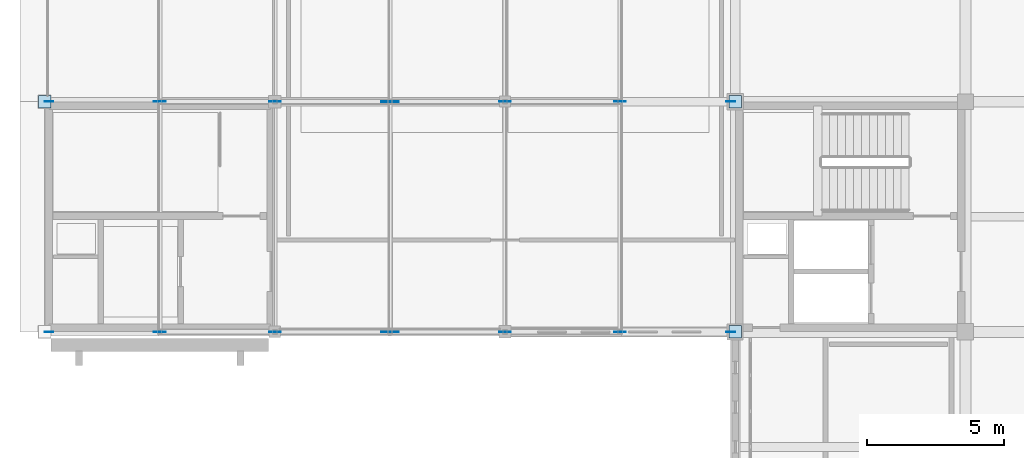
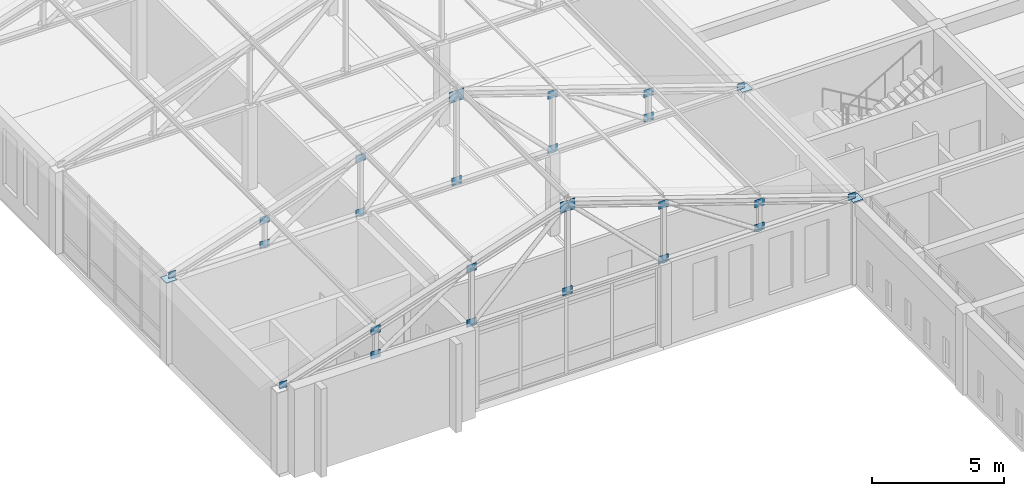
# One storey, part 33 of 56: 27 plates.
"""IFC4 building model written with IfcOpenShell, lengths in metres."""

from ifc_helpers import new_model, si_unit, direction, frame, origin, origin_2d, place, context, subcontext, project, spatial, rectangle, extrude, material, layer, layer_set, type_object, element, save


model = new_model("IFC4")

# Units and contexts
model_context = context("Model", 3, precision=1e-05, world=origin(), true_north=direction((0.0, 1.0)))
body_context = subcontext(model_context, "Body", "Model", "MODEL_VIEW")
ifc_project = project(units=[si_unit("LENGTHUNIT", "METRE"), si_unit("AREAUNIT", "SQUARE_METRE"), si_unit("VOLUMEUNIT", "CUBIC_METRE"), si_unit("PLANEANGLEUNIT", "RADIAN"), si_unit("MASSUNIT", "GRAM", prefix="KILO")], contexts=[model_context])

# Site, building, storey
site_placement = place(None, origin())
site = spatial("IfcSite", under=ifc_project, at=site_placement, CompositionType="ELEMENT")
building_placement = place(site_placement, origin())
building = spatial("IfcBuilding", under=site, at=building_placement, Name="Kveldsbrygga Polytechnic", CompositionType="ELEMENT")
storey_placement = place(building_placement, frame((0.0, 0.0, 18.02001953125)))
storey = spatial("IfcBuildingStorey", under=building, at=storey_placement, Name="L04", CompositionType="ELEMENT", Elevation=18.02001953125)

# Plates
ifc_material = material(Name="Steel S355", Category="steel")
ifc_layer_1 = layer(ifc_material, 0.030029296875)
ifc_layer_set_1 = layer_set([ifc_layer_1], Name="Steel S355")
plate_type_1 = type_object("IfcPlateType", Name="CAP-BEAR-450", PredefinedType="SHEET", material=ifc_layer_set_1)
for number, where, z_axis, x_axis, name in (
    (1, (126.0, 84.0, 3.75), (0.0, 0.0, 1.0), (1.0, 0.0, 0.0), "Truss Bearing Plate V4NE5-T01-B"),
    (2, (100.800048828125, 92.39990234375, 3.75), (0.0, 0.0, 1.0), (1.0, 0.0, 0.0), "Truss Bearing Plate V4NE5-T02-A"),
    (3, (126.0, 92.39990234375, 3.75), (0.0, 0.0, 1.0), (1.0, 0.0, 0.0), "Truss Bearing Plate V4NE5-T02-B"),
):
    element("IfcPlate", number, at=place(storey_placement, frame(where, z_axis=z_axis, x_axis=x_axis)), inside=storey, type_object=plate_type_1, Name=name, PredefinedType="SHEET", context=body_context, shape_type="SweptSolid", body=[
        extrude(rectangle(XDim=0.449951171875, YDim=0.449951171875, at=origin_2d()), origin(), (0.0, 0.0, 1.0), 0.030029296875),
    ])
ifc_layer_2 = layer(ifc_material, 0.02490234375)
ifc_layer_set_2 = layer_set([ifc_layer_2], Name="Steel S355")
plate_type_2 = type_object("IfcPlateType", Name="GUS-APEX-650", PredefinedType="SHEET", material=ifc_layer_set_2)
for number, where, z_axis, x_axis, name in (
    (4, (113.39990234375, 84.0, 7.580078125), (0.0, 0.0, 1.0), (1.0, 0.0, 0.0), "Truss Gusset Plate V4NE5-T01-GP-3"),
    (5, (113.39990234375, 92.39990234375, 7.580078125), (0.0, 0.0, 1.0), (1.0, 0.0, 0.0), "Truss Gusset Plate V4NE5-T02-GP-3"),
):
    element("IfcPlate", number, at=place(storey_placement, frame(where, z_axis=z_axis, x_axis=x_axis)), inside=storey, type_object=plate_type_2, Name=name, PredefinedType="SHEET", context=body_context, shape_type="SweptSolid", body=[
        extrude(rectangle(XDim=0.64990234375, YDim=0.02490234375, at=origin_2d()), origin(), (0.0, 0.0, 1.0), 0.5),
    ])
ifc_layer_3 = layer(ifc_material, 0.01806640625)
ifc_layer_set_3 = layer_set([ifc_layer_3], Name="Steel S355")
plate_type_3 = type_object("IfcPlateType", Name="GUS-BRACE-320", PredefinedType="SHEET", material=ifc_layer_set_3)
for number, where, z_axis, x_axis, name in (
    (6, (100.9599609375, 84.0, 3.73974609375), (0.0, 0.0, 1.0), (1.0, 0.0, 0.0), "Truss Eaves Node Gusset V4NE5-T01-EGP-A"),
    (7, (125.840087890625, 84.0, 3.73974609375), (0.0, 0.0, 1.0), (1.0, 0.0, 0.0), "Truss Eaves Node Gusset V4NE5-T01-EGP-B"),
    (8, (100.9599609375, 92.39990234375, 3.73974609375), (0.0, 0.0, 1.0), (1.0, 0.0, 0.0), "Truss Eaves Node Gusset V4NE5-T02-EGP-A"),
    (9, (125.840087890625, 92.39990234375, 3.73974609375), (0.0, 0.0, 1.0), (1.0, 0.0, 0.0), "Truss Eaves Node Gusset V4NE5-T02-EGP-B"),
):
    element("IfcPlate", number, at=place(storey_placement, frame(where, z_axis=z_axis, x_axis=x_axis)), inside=storey, type_object=plate_type_3, Name=name, PredefinedType="SHEET", context=body_context, shape_type="SweptSolid", body=[
        extrude(rectangle(XDim=0.320068359375, YDim=0.01806640625, at=origin_2d()), origin(), (0.0, 0.0, 1.0), 0.320068359375),
    ])
ifc_layer_4 = layer(ifc_material, 0.02001953125)
ifc_layer_set_4 = layer_set([ifc_layer_4], Name="Steel S355")
plate_type_4 = type_object("IfcPlateType", Name="GUS-LECT-420", PredefinedType="SHEET", material=ifc_layer_set_4)
for number, where, z_axis, x_axis, name in (
    (10, (105.0, 84.0, 4.85498046875), (0.0, 0.0, 1.0), (1.0, 0.0, 0.0), "Truss Gusset Plate V4NE5-T01-GP-1"),
    (11, (105.0, 84.0, 3.724853515625), (0.0, 0.0, 1.0), (1.0, 0.0, 0.0), "Truss Bottom-Chord Node Gusset V4NE5-T01-BGP-1"),
    (12, (109.199951171875, 84.0, 6.2548828125), (0.0, 0.0, 1.0), (1.0, 0.0, 0.0), "Truss Gusset Plate V4NE5-T01-GP-2"),
    (13, (109.199951171875, 84.0, 3.724853515625), (0.0, 0.0, 1.0), (1.0, 0.0, 0.0), "Truss Bottom-Chord Node Gusset V4NE5-T01-BGP-2"),
    (14, (113.39990234375, 84.0, 3.724853515625), (0.0, 0.0, 1.0), (1.0, 0.0, 0.0), "Truss Bottom-Chord Node Gusset V4NE5-T01-BGP-3"),
    (15, (117.60009765625, 84.0, 6.2548828125), (0.0, 0.0, 1.0), (1.0, 0.0, 0.0), "Truss Gusset Plate V4NE5-T01-GP-4"),
    (16, (117.60009765625, 84.0, 3.724853515625), (0.0, 0.0, 1.0), (1.0, 0.0, 0.0), "Truss Bottom-Chord Node Gusset V4NE5-T01-BGP-4"),
    (17, (121.800048828125, 84.0, 4.85498046875), (0.0, 0.0, 1.0), (1.0, 0.0, 0.0), "Truss Gusset Plate V4NE5-T01-GP-5"),
    (18, (121.800048828125, 84.0, 3.724853515625), (0.0, 0.0, 1.0), (1.0, 0.0, 0.0), "Truss Bottom-Chord Node Gusset V4NE5-T01-BGP-5"),
    (19, (105.0, 92.39990234375, 4.85498046875), (0.0, 0.0, 1.0), (1.0, 0.0, 0.0), "Truss Gusset Plate V4NE5-T02-GP-1"),
    (20, (105.0, 92.39990234375, 3.724853515625), (0.0, 0.0, 1.0), (1.0, 0.0, 0.0), "Truss Bottom-Chord Node Gusset V4NE5-T02-BGP-1"),
    (21, (109.199951171875, 92.39990234375, 6.2548828125), (0.0, 0.0, 1.0), (1.0, 0.0, 0.0), "Truss Gusset Plate V4NE5-T02-GP-2"),
    (22, (109.199951171875, 92.39990234375, 3.724853515625), (0.0, 0.0, 1.0), (1.0, 0.0, 0.0), "Truss Bottom-Chord Node Gusset V4NE5-T02-BGP-2"),
    (23, (113.39990234375, 92.39990234375, 3.724853515625), (0.0, 0.0, 1.0), (1.0, 0.0, 0.0), "Truss Bottom-Chord Node Gusset V4NE5-T02-BGP-3"),
    (24, (117.60009765625, 92.39990234375, 6.2548828125), (0.0, 0.0, 1.0), (1.0, 0.0, 0.0), "Truss Gusset Plate V4NE5-T02-GP-4"),
    (25, (117.60009765625, 92.39990234375, 3.724853515625), (0.0, 0.0, 1.0), (1.0, 0.0, 0.0), "Truss Bottom-Chord Node Gusset V4NE5-T02-BGP-4"),
    (26, (121.800048828125, 92.39990234375, 4.85498046875), (0.0, 0.0, 1.0), (1.0, 0.0, 0.0), "Truss Gusset Plate V4NE5-T02-GP-5"),
    (27, (121.800048828125, 92.39990234375, 3.724853515625), (0.0, 0.0, 1.0), (1.0, 0.0, 0.0), "Truss Bottom-Chord Node Gusset V4NE5-T02-BGP-5"),
):
    element("IfcPlate", number, at=place(storey_placement, frame(where, z_axis=z_axis, x_axis=x_axis)), inside=storey, type_object=plate_type_4, Name=name, PredefinedType="SHEET", context=body_context, shape_type="SweptSolid", body=[
        extrude(rectangle(XDim=0.419921875, YDim=0.02001953125, at=origin_2d()), origin(), (0.0, 0.0, 1.0), 0.35009765625),
    ])

save(model, "model.ifc")
